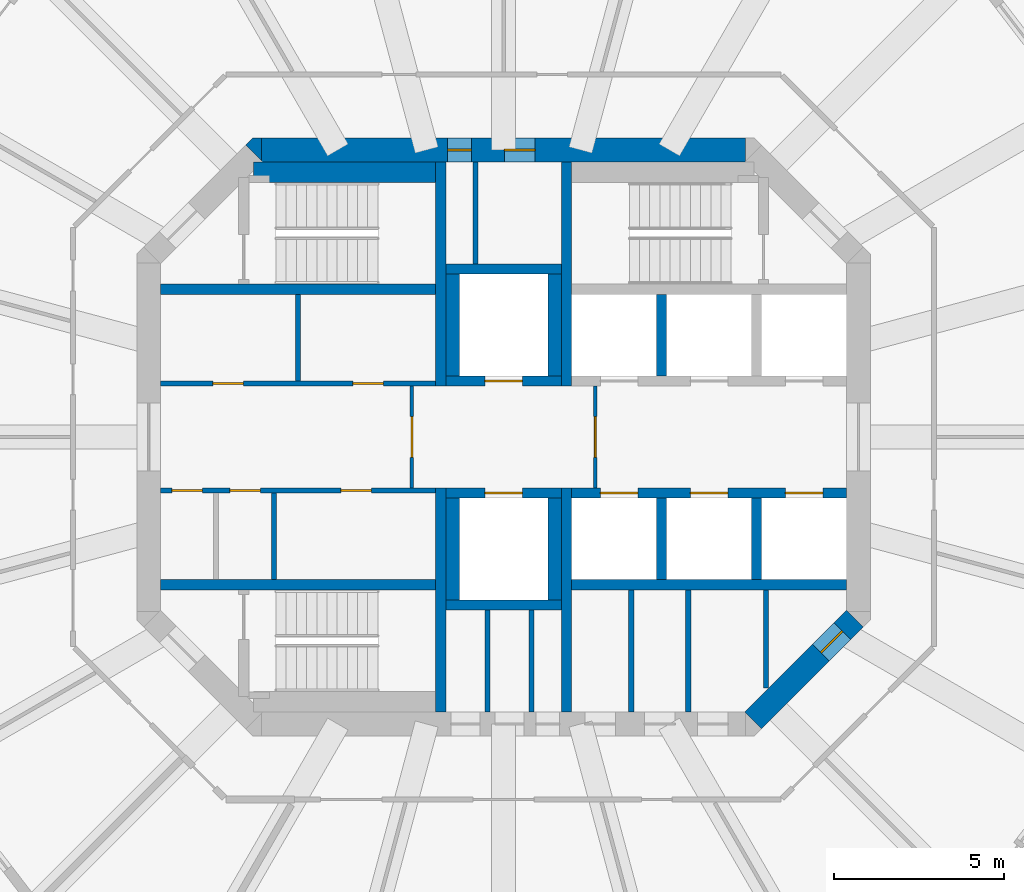
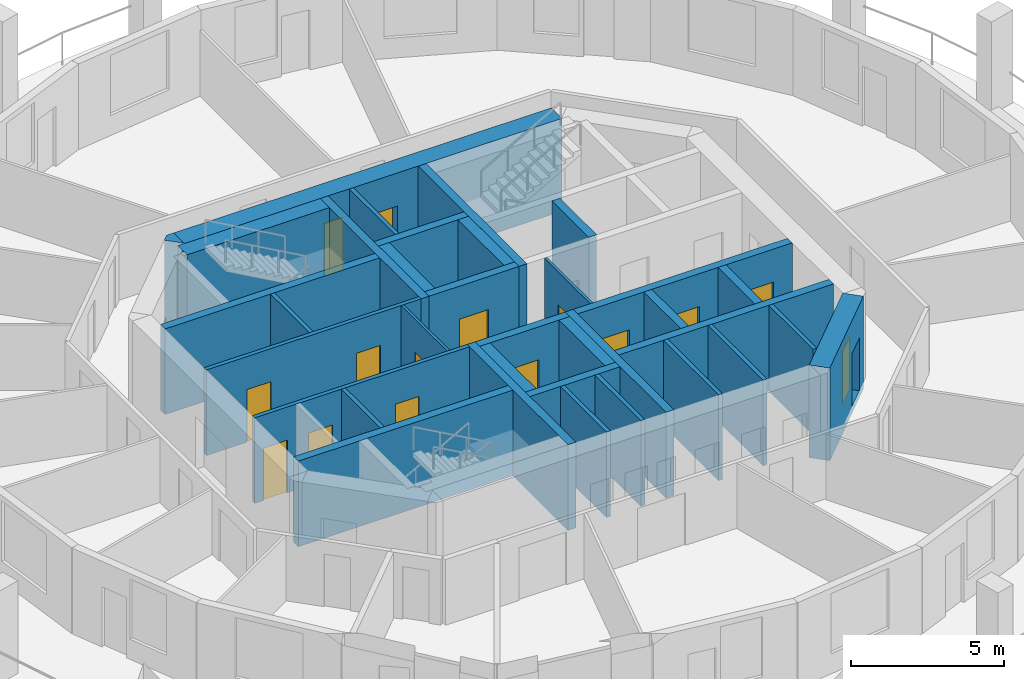
# One storey, part 4 of 9: 35 walls, 15 doors, 15 openings.
"""IFC4 building model written with IfcOpenShell, lengths in metres."""

from ifc_helpers import new_model, si_unit, direction, frame, frame_2d, origin, place, context, subcontext, project, spatial, polyline, rectangle, outline, extrude, material, layer, layer_set, type_object, element, fill, save


model = new_model("IFC4")

# Units and contexts
model_context = context("Model", 3, precision=1e-05, world=origin(), true_north=direction((0.0, 1.0)))
body_context = subcontext(model_context, "Body", "Model", "MODEL_VIEW")
ifc_project = project(units=[si_unit("LENGTHUNIT", "METRE"), si_unit("AREAUNIT", "SQUARE_METRE"), si_unit("VOLUMEUNIT", "CUBIC_METRE"), si_unit("PLANEANGLEUNIT", "RADIAN"), si_unit("MASSUNIT", "GRAM", prefix="KILO")], contexts=[model_context])

# Site, building, storey
site_placement = place(None, origin())
site = spatial("IfcSite", under=ifc_project, at=site_placement, CompositionType="ELEMENT")
building_placement = place(site_placement, origin())
building = spatial("IfcBuilding", under=site, at=building_placement, Name="Torre Triforio", CompositionType="ELEMENT")
storey_placement = place(building_placement, frame((0.0, 0.0, 211.300048828125)))
storey = spatial("IfcBuildingStorey", under=building, at=storey_placement, Name="L48", CompositionType="ELEMENT", Elevation=211.300048828125)

# Walls
ifc_material_1 = material(Name="Concrete C50", Category="concrete")
ifc_layer_1 = layer(ifc_material_1, 0.300048828125)
ifc_layer_set_1 = layer_set([ifc_layer_1], Name="Concrete C50")
wall_type_1 = type_object("IfcWallType", Name="Core wall 300 mm C50 EI 120", PredefinedType="SHEAR", material=ifc_layer_set_1)
for number, where, z_axis, x_axis, name in (
    (1, (-1.85009765625, 1.5, 0.0), (0.0, 0.0, 1.0), (0.0, 1.0, 0.0), "Core wall"),
    (2, (-1.85009765625, -8.10009765625, 0.0), (0.0, 0.0, 1.0), (0.0, 1.0, 0.0), "Core wall"),
    (3, (1.85009765625, 1.5, 0.0), (0.0, 0.0, 1.0), (0.0, 1.0, 0.0), "Core wall"),
    (4, (1.85009765625, -8.10009765625, 0.0), (0.0, 0.0, 1.0), (0.0, 1.0, 0.0), "Core wall"),
):
    element("IfcWall", number, at=place(storey_placement, frame(where, z_axis=z_axis, x_axis=x_axis)), inside=storey, type_object=wall_type_1, Name=name, PredefinedType="SHEAR", context=body_context, shape_type="SweptSolid", body=[
        extrude(rectangle(XDim=6.60009765625, YDim=0.300048828125, at=frame_2d((3.300048828125, 0.0))), origin(), (0.0, 0.0, 1.0), 3.419921875),
    ])

# Wall, openings, doors
ifc_layer_2 = layer(ifc_material_1, 0.699951171875)
ifc_layer_set_2 = layer_set([ifc_layer_2], Name="Concrete C50")
wall_type_2 = type_object("IfcWallType", Name="Core wall 700 mm C50 EI 120", PredefinedType="SHEAR", material=ifc_layer_set_2)
wall_1_placement = place(storey_placement, frame((-7.1298828125, 8.449951171875, -0.280029296875), z_axis=(0.0, 0.0, 1.0), x_axis=(1.0, 0.0, 0.0)))
wall_1 = element("IfcWall", 5, at=wall_1_placement, inside=storey, type_object=wall_type_2, Name="Core wall", PredefinedType="SHEAR", context=body_context, shape_type="SweptSolid", body=[
    extrude(rectangle(XDim=14.259765625, YDim=0.699951171875, at=frame_2d((7.1298828125, 0.0))), origin(), (0.0, 0.0, 1.0), 3.699951171875),
])
opening_1_placement = place(wall_1_placement, frame((5.47998046875, 0.0, 0.280029296875)))
opening_1 = element("IfcOpeningElement", 6, at=opening_1_placement, cuts=wall_1, Name="Opening RISER-N", PredefinedType="OPENING", context=body_context, shape_type="SweptSolid", body=[
    extrude(rectangle(XDim=0.699951171875, YDim=2.10009765625, at=frame_2d((0.35009765625, 1.050048828125))), frame((0.0, 0.35986328125, 0.0), z_axis=(0.0, -1.0, 0.0), x_axis=(1.0, 0.0, 0.0)), (0.0, 0.0, 1.0), 0.719970703125),
])
opening_2_placement = place(wall_1_placement, frame((7.155029296875, 0.0, 0.280029296875)))
opening_2 = element("IfcOpeningElement", 7, at=opening_2_placement, cuts=wall_1, Name="Opening NE-01", PredefinedType="OPENING", context=body_context, shape_type="SweptSolid", body=[
    extrude(rectangle(XDim=0.89990234375, YDim=2.10009765625, at=frame_2d((0.449951171875, 1.050048828125))), frame((0.0, 0.35986328125, 0.0), z_axis=(0.0, -1.0, 0.0), x_axis=(1.0, 0.0, 0.0)), (0.0, 0.0, 1.0), 0.719970703125),
])
ifc_material_2 = material(Name="Hollow metal fire door leaf")
door_type_1 = type_object("IfcDoorType", Name="Riser door 700 x 2100 EI 60", OperationType="NOTDEFINED", PredefinedType="DOOR", material=ifc_material_2)
door_1_placement = place(opening_1_placement, origin())
door_1 = element("IfcDoor", 8, at=door_1_placement, inside=storey, type_object=door_type_1, Name="Core door RISER-N", OperationType="SINGLE_SWING_LEFT", OverallHeight=2.10009765625, OverallWidth=0.699951171875, PredefinedType="DOOR", context=body_context, shape_type="SweptSolid", body=[
    extrude(rectangle(XDim=0.699951171875, YDim=2.10009765625, at=frame_2d((0.35009765625, 1.050048828125))), frame((0.0, 0.02490234375, 0.0), z_axis=(0.0, -1.0, 0.0), x_axis=(1.0, 0.0, 0.0)), (0.0, 0.0, 1.0), 0.050048828125),
])
fill(opening_1, door_1)
door_type_2 = type_object("IfcDoorType", Name="Room door 900 x 2100 EI 60", OperationType="NOTDEFINED", PredefinedType="DOOR", material=ifc_material_2)
door_2_placement = place(opening_2_placement, origin())
door_2 = element("IfcDoor", 9, at=door_2_placement, inside=storey, type_object=door_type_2, Name="Core door NE-01", OperationType="SINGLE_SWING_RIGHT", OverallHeight=2.10009765625, OverallWidth=0.89990234375, PredefinedType="DOOR", context=body_context, shape_type="SweptSolid", body=[
    extrude(rectangle(XDim=0.89990234375, YDim=2.10009765625, at=frame_2d((0.449951171875, 1.050048828125))), frame((0.0, 0.02490234375, 0.0), z_axis=(0.0, -1.0, 0.0), x_axis=(1.0, 0.0, 0.0)), (0.0, 0.0, 1.0), 0.050048828125),
])
fill(opening_2, door_2)

# Wall, opening, door
wall_2_placement = place(storey_placement, frame((10.347412109375, -5.347412109375, -0.280029296875), z_axis=(0.0, 0.0, 1.0), x_axis=(-0.707106781187, -0.707106781187, 0.0)))
wall_2 = element("IfcWall", 10, at=wall_2_placement, inside=storey, type_object=wall_type_2, Name="Core wall", PredefinedType="SHEAR", context=body_context, shape_type="SweptSolid", body=[
    extrude(rectangle(XDim=4.24267578125, YDim=0.699951171875, at=frame_2d((2.121337890625, 0.0))), origin(), (0.0, 0.0, 1.0), 3.699951171875),
])
opening_3_placement = place(wall_2_placement, frame((0.52001953125, 0.0, 0.280029296875)))
opening_3 = element("IfcOpeningElement", 11, at=opening_3_placement, cuts=wall_2, Name="Opening SE-04", PredefinedType="OPENING", context=body_context, shape_type="SweptSolid", body=[
    extrude(rectangle(XDim=0.89990234375, YDim=2.10009765625, at=frame_2d((0.449951171875, 1.050048828125))), frame((0.0, 0.35986328125, 0.0), z_axis=(0.0, -1.0, 0.0), x_axis=(1.0, 0.0, 0.0)), (0.0, 0.0, 1.0), 0.719970703125),
])
door_3_placement = place(opening_3_placement, origin())
door_3 = element("IfcDoor", 12, at=door_3_placement, inside=storey, type_object=door_type_2, Name="Core door SE-04", OperationType="SINGLE_SWING_RIGHT", OverallHeight=2.10009765625, OverallWidth=0.89990234375, PredefinedType="DOOR", context=body_context, shape_type="SweptSolid", body=[
    extrude(rectangle(XDim=0.89990234375, YDim=2.10009765625, at=frame_2d((0.449951171875, 1.050048828125))), frame((0.0, 0.02490234375, 0.0), z_axis=(0.0, -1.0, 0.0), x_axis=(1.0, 0.0, 0.0)), (0.0, 0.0, 1.0), 0.050048828125),
])
fill(opening_3, door_3)

# Wall
wall_3_placement = place(storey_placement, frame((0.0, 0.0, -0.280029296875)))
element("IfcWall", 13, at=wall_3_placement, inside=storey, type_object=wall_type_2, Name="Core wall", PredefinedType="SHEAR", context=body_context, shape_type="SweptSolid", body=[
    extrude(outline(polyline([(-7.389892578125, 8.800048828125), (-7.1298828125, 8.800048828125), (-7.1298828125, 8.800048828125), (-7.1298828125, 8.1298828125), (-7.594970703125, 8.594970703125), (-7.594970703125, 8.594970703125), (-7.594970703125, 8.594970703125), (-7.389892578125, 8.800048828125)])), origin(), (0.0, 0.0, 1.0), 3.699951171875),
])

# Wall, opening, door
ifc_material_3 = material(Name="Block and board partition")
ifc_layer_3 = layer(ifc_material_3, 0.10009765625)
ifc_layer_set_3 = layer_set([ifc_layer_3], Name="Block and board partition")
wall_type_3 = type_object("IfcWallType", Name="Partition 100 mm EI 120", PredefinedType="PARTITIONING", material=ifc_layer_set_3)
wall_4_placement = place(storey_placement, frame((-2.699951171875, -1.5, 0.0), z_axis=(0.0, 0.0, 1.0), x_axis=(0.0, 1.0, 0.0)))
wall_4 = element("IfcWall", 14, at=wall_4_placement, inside=storey, type_object=wall_type_3, Name="Partition", PredefinedType="PARTITIONING", context=body_context, shape_type="SweptSolid", body=[
    extrude(rectangle(XDim=3.0, YDim=0.10009765625, at=frame_2d((1.5, 0.0))), origin(), (0.0, 0.0, 1.0), 3.419921875),
])
opening_4_placement = place(wall_4_placement, frame((0.89990234375, 0.0, 0.0)))
opening_4 = element("IfcOpeningElement", 15, at=opening_4_placement, cuts=wall_4, Name="Opening FF-W", PredefinedType="OPENING", context=body_context, shape_type="SweptSolid", body=[
    extrude(rectangle(XDim=1.199951171875, YDim=2.10009765625, at=frame_2d((0.60009765625, 1.050048828125))), frame((0.0, 0.06005859375, 0.0), z_axis=(0.0, -1.0, 0.0), x_axis=(1.0, 0.0, 0.0)), (0.0, 0.0, 1.0), 0.1201171875),
])
door_type_3 = type_object("IfcDoorType", Name="Fire-fighting lobby door 1200 x 2100 EI 60", OperationType="NOTDEFINED", PredefinedType="DOOR", material=ifc_material_2)
door_4_placement = place(opening_4_placement, origin())
door_4 = element("IfcDoor", 16, at=door_4_placement, inside=storey, type_object=door_type_3, Name="Core door FF-W", OperationType="SINGLE_SWING_RIGHT", OverallHeight=2.10009765625, OverallWidth=1.199951171875, PredefinedType="DOOR", context=body_context, shape_type="SweptSolid", body=[
    extrude(rectangle(XDim=1.199951171875, YDim=2.10009765625, at=frame_2d((0.60009765625, 1.050048828125))), frame((0.0, 0.02490234375, 0.0), z_axis=(0.0, -1.0, 0.0), x_axis=(1.0, 0.0, 0.0)), (0.0, 0.0, 1.0), 0.050048828125),
])
fill(opening_4, door_4)

wall_5_placement = place(storey_placement, frame((2.699951171875, -1.5, 0.0), z_axis=(0.0, 0.0, 1.0), x_axis=(0.0, 1.0, 0.0)))
wall_5 = element("IfcWall", 17, at=wall_5_placement, inside=storey, type_object=wall_type_3, Name="Partition", PredefinedType="PARTITIONING", context=body_context, shape_type="SweptSolid", body=[
    extrude(rectangle(XDim=3.0, YDim=0.10009765625, at=frame_2d((1.5, 0.0))), origin(), (0.0, 0.0, 1.0), 3.419921875),
])
opening_5_placement = place(wall_5_placement, frame((0.89990234375, 0.0, 0.0)))
opening_5 = element("IfcOpeningElement", 18, at=opening_5_placement, cuts=wall_5, Name="Opening FF-E", PredefinedType="OPENING", context=body_context, shape_type="SweptSolid", body=[
    extrude(rectangle(XDim=1.199951171875, YDim=2.10009765625, at=frame_2d((0.60009765625, 1.050048828125))), frame((0.0, 0.06005859375, 0.0), z_axis=(0.0, -1.0, 0.0), x_axis=(1.0, 0.0, 0.0)), (0.0, 0.0, 1.0), 0.1201171875),
])
door_5_placement = place(opening_5_placement, origin())
door_5 = element("IfcDoor", 19, at=door_5_placement, inside=storey, type_object=door_type_3, Name="Core door FF-E", OperationType="SINGLE_SWING_RIGHT", OverallHeight=2.10009765625, OverallWidth=1.199951171875, PredefinedType="DOOR", context=body_context, shape_type="SweptSolid", body=[
    extrude(rectangle(XDim=1.199951171875, YDim=2.10009765625, at=frame_2d((0.60009765625, 1.050048828125))), frame((0.0, 0.02490234375, 0.0), z_axis=(0.0, -1.0, 0.0), x_axis=(1.0, 0.0, 0.0)), (0.0, 0.0, 1.0), 0.050048828125),
])
fill(opening_5, door_5)

# Walls
ifc_layer_4 = layer(ifc_material_3, 0.14990234375)
ifc_layer_set_4 = layer_set([ifc_layer_4], Name="Block and board partition")
wall_type_4 = type_object("IfcWallType", Name="Partition 150 mm", PredefinedType="PARTITIONING", material=ifc_layer_set_4)
wall_6_placement = place(storey_placement, frame((-0.47509765625, -8.10009765625, 0.0), z_axis=(0.0, 0.0, 1.0), x_axis=(0.0, 1.0, 0.0)))
element("IfcWall", 20, at=wall_6_placement, inside=storey, type_object=wall_type_4, Name="Partition", PredefinedType="PARTITIONING", context=body_context, shape_type="SweptSolid", body=[
    extrude(rectangle(XDim=3.0, YDim=0.14990234375, at=frame_2d((1.5, 0.0))), origin(), (0.0, 0.0, 1.0), 3.419921875),
])
for number, where, z_axis, x_axis, name in (
    (21, (3.758056640625, -8.10009765625, 0.0), (0.0, 0.0, 1.0), (0.0, 1.0, 0.0), "Partition"),
    (22, (5.43798828125, -8.10009765625, 0.0), (0.0, 0.0, 1.0), (0.0, 1.0, 0.0), "Partition"),
):
    element("IfcWall", number, at=place(storey_placement, frame(where, z_axis=z_axis, x_axis=x_axis)), inside=storey, type_object=wall_type_4, Name=name, PredefinedType="PARTITIONING", context=body_context, shape_type="SweptSolid", body=[
        extrude(rectangle(XDim=3.60009765625, YDim=0.14990234375, at=frame_2d((1.800048828125, 0.0))), origin(), (0.0, 0.0, 1.0), 3.419921875),
    ])
wall_7_placement = place(storey_placement, frame((7.72998046875, -7.39501953125, 0.0), z_axis=(0.0, 0.0, 1.0), x_axis=(0.0, 1.0, 0.0)))
element("IfcWall", 23, at=wall_7_placement, inside=storey, type_object=wall_type_4, Name="Partition", PredefinedType="PARTITIONING", context=body_context, shape_type="SweptSolid", body=[
    extrude(rectangle(XDim=2.89501953125, YDim=0.14990234375, at=frame_2d((1.447509765625, 0.0))), origin(), (0.0, 0.0, 1.0), 3.419921875),
])
for number, where, z_axis, x_axis, name in (
    (24, (-6.050048828125, 1.64990234375, 0.0), (0.0, 0.0, 1.0), (0.0, 1.0, 0.0), "Partition"),
    (25, (-6.7548828125, -4.199951171875, 0.0), (0.0, 0.0, 1.0), (0.0, 1.0, 0.0), "Partition"),
):
    element("IfcWall", number, at=place(storey_placement, frame(where, z_axis=z_axis, x_axis=x_axis)), inside=storey, type_object=wall_type_4, Name=name, PredefinedType="PARTITIONING", context=body_context, shape_type="SweptSolid", body=[
        extrude(rectangle(XDim=2.550048828125, YDim=0.14990234375, at=frame_2d((1.27490234375, 0.0))), origin(), (0.0, 0.0, 1.0), 3.419921875),
    ])
ifc_layer_5 = layer(ifc_material_3, 0.14990234375)
ifc_layer_set_5 = layer_set([ifc_layer_5], Name="Block and board partition")
wall_type_5 = type_object("IfcWallType", Name="Partition 150 mm EI 120", PredefinedType="PARTITIONING", material=ifc_layer_set_5)
for number, where, z_axis, x_axis, name in (
    (26, (-0.824951171875, 5.10009765625, 0.0), (0.0, 0.0, 1.0), (0.0, 1.0, 0.0), "Partition"),
    (27, (0.824951171875, -8.10009765625, 0.0), (0.0, 0.0, 1.0), (0.0, 1.0, 0.0), "Partition"),
):
    element("IfcWall", number, at=place(storey_placement, frame(where, z_axis=z_axis, x_axis=x_axis)), inside=storey, type_object=wall_type_5, Name=name, PredefinedType="PARTITIONING", context=body_context, shape_type="SweptSolid", body=[
        extrude(rectangle(XDim=3.0, YDim=0.14990234375, at=frame_2d((1.5, 0.0))), origin(), (0.0, 0.0, 1.0), 3.419921875),
    ])

# Wall, openings, doors
wall_8_placement = place(storey_placement, frame((-10.10009765625, 1.574951171875, 0.0), z_axis=(0.0, 0.0, 1.0), x_axis=(1.0, 0.0, 0.0)))
wall_8 = element("IfcWall", 28, at=wall_8_placement, inside=storey, type_object=wall_type_5, Name="Partition", PredefinedType="PARTITIONING", context=body_context, shape_type="SweptSolid", body=[
    extrude(rectangle(XDim=8.10009765625, YDim=0.14990234375, at=frame_2d((4.050048828125, 0.0))), origin(), (0.0, 0.0, 1.0), 3.419921875),
])
opening_6_placement = place(wall_8_placement, frame((1.53759765625, 0.0, 0.0)))
opening_6 = element("IfcOpeningElement", 29, at=opening_6_placement, cuts=wall_8, Name="Opening FN-01", PredefinedType="OPENING", context=body_context, shape_type="SweptSolid", body=[
    extrude(rectangle(XDim=0.89990234375, YDim=2.10009765625, at=frame_2d((0.449951171875, 1.050048828125))), frame((0.0, 0.0849609375, 0.0), z_axis=(0.0, -1.0, 0.0), x_axis=(1.0, 0.0, 0.0)), (0.0, 0.0, 1.0), 0.169921875),
])
opening_7_placement = place(wall_8_placement, frame((5.66259765625, 0.0, 0.0)))
opening_7 = element("IfcOpeningElement", 30, at=opening_7_placement, cuts=wall_8, Name="Opening FN-02", PredefinedType="OPENING", context=body_context, shape_type="SweptSolid", body=[
    extrude(rectangle(XDim=0.89990234375, YDim=2.10009765625, at=frame_2d((0.449951171875, 1.050048828125))), frame((0.0, 0.0849609375, 0.0), z_axis=(0.0, -1.0, 0.0), x_axis=(1.0, 0.0, 0.0)), (0.0, 0.0, 1.0), 0.169921875),
])
door_6_placement = place(opening_6_placement, origin())
door_6 = element("IfcDoor", 31, at=door_6_placement, inside=storey, type_object=door_type_2, Name="Core door FN-01", OperationType="SINGLE_SWING_RIGHT", OverallHeight=2.10009765625, OverallWidth=0.89990234375, PredefinedType="DOOR", context=body_context, shape_type="SweptSolid", body=[
    extrude(rectangle(XDim=0.89990234375, YDim=2.10009765625, at=frame_2d((0.449951171875, 1.050048828125))), frame((0.0, 0.02490234375, 0.0), z_axis=(0.0, -1.0, 0.0), x_axis=(1.0, 0.0, 0.0)), (0.0, 0.0, 1.0), 0.050048828125),
])
fill(opening_6, door_6)
door_7_placement = place(opening_7_placement, origin())
door_7 = element("IfcDoor", 32, at=door_7_placement, inside=storey, type_object=door_type_2, Name="Core door FN-02", OperationType="SINGLE_SWING_RIGHT", OverallHeight=2.10009765625, OverallWidth=0.89990234375, PredefinedType="DOOR", context=body_context, shape_type="SweptSolid", body=[
    extrude(rectangle(XDim=0.89990234375, YDim=2.10009765625, at=frame_2d((0.449951171875, 1.050048828125))), frame((0.0, 0.02490234375, 0.0), z_axis=(0.0, -1.0, 0.0), x_axis=(1.0, 0.0, 0.0)), (0.0, 0.0, 1.0), 0.050048828125),
])
fill(opening_7, door_7)

wall_9_placement = place(storey_placement, frame((-10.10009765625, -1.574951171875, 0.0), z_axis=(0.0, 0.0, 1.0), x_axis=(1.0, 0.0, 0.0)))
wall_9 = element("IfcWall", 33, at=wall_9_placement, inside=storey, type_object=wall_type_5, Name="Partition", PredefinedType="PARTITIONING", context=body_context, shape_type="SweptSolid", body=[
    extrude(rectangle(XDim=8.10009765625, YDim=0.14990234375, at=frame_2d((4.050048828125, 0.0))), origin(), (0.0, 0.0, 1.0), 3.419921875),
])
opening_8_placement = place(wall_9_placement, frame((0.330078125, 0.0, 0.0)))
opening_8 = element("IfcOpeningElement", 34, at=opening_8_placement, cuts=wall_9, Name="Opening FS-01", PredefinedType="OPENING", context=body_context, shape_type="SweptSolid", body=[
    extrude(rectangle(XDim=0.89990234375, YDim=2.10009765625, at=frame_2d((0.449951171875, 1.050048828125))), frame((0.0, 0.0849609375, 0.0), z_axis=(0.0, -1.0, 0.0), x_axis=(1.0, 0.0, 0.0)), (0.0, 0.0, 1.0), 0.169921875),
])
opening_9_placement = place(wall_9_placement, frame((2.0400390625, 0.0, 0.0)))
opening_9 = element("IfcOpeningElement", 35, at=opening_9_placement, cuts=wall_9, Name="Opening FS-02", PredefinedType="OPENING", context=body_context, shape_type="SweptSolid", body=[
    extrude(rectangle(XDim=0.89990234375, YDim=2.10009765625, at=frame_2d((0.449951171875, 1.050048828125))), frame((0.0, 0.0849609375, 0.0), z_axis=(0.0, -1.0, 0.0), x_axis=(1.0, 0.0, 0.0)), (0.0, 0.0, 1.0), 0.169921875),
])
opening_10_placement = place(wall_9_placement, frame((5.31005859375, 0.0, 0.0)))
opening_10 = element("IfcOpeningElement", 36, at=opening_10_placement, cuts=wall_9, Name="Opening FS-03", PredefinedType="OPENING", context=body_context, shape_type="SweptSolid", body=[
    extrude(rectangle(XDim=0.89990234375, YDim=2.10009765625, at=frame_2d((0.449951171875, 1.050048828125))), frame((0.0, 0.0849609375, 0.0), z_axis=(0.0, -1.0, 0.0), x_axis=(1.0, 0.0, 0.0)), (0.0, 0.0, 1.0), 0.169921875),
])
door_8_placement = place(opening_8_placement, origin())
door_8 = element("IfcDoor", 37, at=door_8_placement, inside=storey, type_object=door_type_2, Name="Core door FS-01", OperationType="SINGLE_SWING_LEFT", OverallHeight=2.10009765625, OverallWidth=0.89990234375, PredefinedType="DOOR", context=body_context, shape_type="SweptSolid", body=[
    extrude(rectangle(XDim=0.89990234375, YDim=2.10009765625, at=frame_2d((0.449951171875, 1.050048828125))), frame((0.0, 0.02490234375, 0.0), z_axis=(0.0, -1.0, 0.0), x_axis=(1.0, 0.0, 0.0)), (0.0, 0.0, 1.0), 0.050048828125),
])
fill(opening_8, door_8)
door_9_placement = place(opening_9_placement, origin())
door_9 = element("IfcDoor", 38, at=door_9_placement, inside=storey, type_object=door_type_2, Name="Core door FS-02", OperationType="SINGLE_SWING_LEFT", OverallHeight=2.10009765625, OverallWidth=0.89990234375, PredefinedType="DOOR", context=body_context, shape_type="SweptSolid", body=[
    extrude(rectangle(XDim=0.89990234375, YDim=2.10009765625, at=frame_2d((0.449951171875, 1.050048828125))), frame((0.0, 0.02490234375, 0.0), z_axis=(0.0, -1.0, 0.0), x_axis=(1.0, 0.0, 0.0)), (0.0, 0.0, 1.0), 0.050048828125),
])
fill(opening_9, door_9)
door_10_placement = place(opening_10_placement, origin())
door_10 = element("IfcDoor", 39, at=door_10_placement, inside=storey, type_object=door_type_2, Name="Core door FS-03", OperationType="SINGLE_SWING_LEFT", OverallHeight=2.10009765625, OverallWidth=0.89990234375, PredefinedType="DOOR", context=body_context, shape_type="SweptSolid", body=[
    extrude(rectangle(XDim=0.89990234375, YDim=2.10009765625, at=frame_2d((0.449951171875, 1.050048828125))), frame((0.0, 0.02490234375, 0.0), z_axis=(0.0, -1.0, 0.0), x_axis=(1.0, 0.0, 0.0)), (0.0, 0.0, 1.0), 0.050048828125),
])
fill(opening_10, door_10)

# Walls
ifc_layer_6 = layer(ifc_material_1, 0.300048828125)
ifc_layer_set_6 = layer_set([ifc_layer_6], Name="Concrete C50")
wall_type_6 = type_object("IfcWallType", Name="Shaft wall 300 mm C50 EI 120", PredefinedType="SOLIDWALL", material=ifc_layer_set_6)
for number, where, z_axis, x_axis, name in (
    (40, (-10.10009765625, 4.35009765625, 0.0), (0.0, 0.0, 1.0), (1.0, 0.0, 0.0), "Shaft wall"),
    (41, (-10.10009765625, -4.35009765625, 0.0), (0.0, 0.0, 1.0), (1.0, 0.0, 0.0), "Shaft wall"),
    (42, (2.0, -4.35009765625, 0.0), (0.0, 0.0, 1.0), (1.0, 0.0, 0.0), "Shaft wall"),
):
    element("IfcWall", number, at=place(storey_placement, frame(where, z_axis=z_axis, x_axis=x_axis)), inside=storey, type_object=wall_type_6, Name=name, PredefinedType="SOLIDWALL", context=body_context, shape_type="SweptSolid", body=[
        extrude(rectangle(XDim=8.10009765625, YDim=0.300048828125, at=frame_2d((4.050048828125, 0.0))), origin(), (0.0, 0.0, 1.0), 3.419921875),
    ])

# Wall, openings, doors
wall_10_placement = place(storey_placement, frame((2.0, -1.64990234375, 0.0), z_axis=(0.0, 0.0, 1.0), x_axis=(1.0, 0.0, 0.0)))
wall_10 = element("IfcWall", 43, at=wall_10_placement, inside=storey, type_object=wall_type_6, Name="Shaft wall", PredefinedType="SOLIDWALL", context=body_context, shape_type="SweptSolid", body=[
    extrude(rectangle(XDim=8.10009765625, YDim=0.300048828125, at=frame_2d((4.050048828125, 0.0))), origin(), (0.0, 0.0, 1.0), 3.419921875),
])
opening_11_placement = place(wall_10_placement, frame((0.85009765625, 0.0, 0.0)))
opening_11 = element("IfcOpeningElement", 44, at=opening_11_placement, cuts=wall_10, Name="Opening LD", PredefinedType="OPENING", context=body_context, shape_type="SweptSolid", body=[
    extrude(rectangle(XDim=1.10009765625, YDim=2.10009765625, at=frame_2d((0.550048828125, 1.050048828125))), frame((0.0, 0.159912109375, 0.0), z_axis=(0.0, -1.0, 0.0), x_axis=(1.0, 0.0, 0.0)), (0.0, 0.0, 1.0), 0.320068359375),
])
opening_12_placement = place(wall_10_placement, frame((3.5, 0.0, 0.0)))
opening_12 = element("IfcOpeningElement", 45, at=opening_12_placement, cuts=wall_10, Name="Opening LD", PredefinedType="OPENING", context=body_context, shape_type="SweptSolid", body=[
    extrude(rectangle(XDim=1.10009765625, YDim=2.10009765625, at=frame_2d((0.550048828125, 1.050048828125))), frame((0.0, 0.159912109375, 0.0), z_axis=(0.0, -1.0, 0.0), x_axis=(1.0, 0.0, 0.0)), (0.0, 0.0, 1.0), 0.320068359375),
])
opening_13_placement = place(wall_10_placement, frame((6.300048828125, 0.0, 0.0)))
opening_13 = element("IfcOpeningElement", 46, at=opening_13_placement, cuts=wall_10, Name="Opening LD", PredefinedType="OPENING", context=body_context, shape_type="SweptSolid", body=[
    extrude(rectangle(XDim=1.10009765625, YDim=2.10009765625, at=frame_2d((0.550048828125, 1.050048828125))), frame((0.0, 0.159912109375, 0.0), z_axis=(0.0, -1.0, 0.0), x_axis=(1.0, 0.0, 0.0)), (0.0, 0.0, 1.0), 0.320068359375),
])
door_type_4 = type_object("IfcDoorType", Name="Landing door 1100 x 2100 EI 60", OperationType="DOUBLE_DOOR_SLIDING", PredefinedType="DOOR", material=ifc_material_2)
door_11_placement = place(opening_11_placement, origin())
door_11 = element("IfcDoor", 47, at=door_11_placement, inside=storey, type_object=door_type_4, Name="Landing door HR4", OperationType="DOUBLE_DOOR_SLIDING", OverallHeight=2.10009765625, OverallWidth=1.10009765625, PredefinedType="DOOR", context=body_context, shape_type="SweptSolid", body=[
    extrude(rectangle(XDim=1.10009765625, YDim=2.10009765625, at=frame_2d((0.550048828125, 1.050048828125))), frame((0.0, 0.02490234375, 0.0), z_axis=(0.0, -1.0, 0.0), x_axis=(1.0, 0.0, 0.0)), (0.0, 0.0, 1.0), 0.050048828125),
])
fill(opening_11, door_11)
door_12_placement = place(opening_12_placement, origin())
door_12 = element("IfcDoor", 48, at=door_12_placement, inside=storey, type_object=door_type_4, Name="Landing door HR5", OperationType="DOUBLE_DOOR_SLIDING", OverallHeight=2.10009765625, OverallWidth=1.10009765625, PredefinedType="DOOR", context=body_context, shape_type="SweptSolid", body=[
    extrude(rectangle(XDim=1.10009765625, YDim=2.10009765625, at=frame_2d((0.550048828125, 1.050048828125))), frame((0.0, 0.02490234375, 0.0), z_axis=(0.0, -1.0, 0.0), x_axis=(1.0, 0.0, 0.0)), (0.0, 0.0, 1.0), 0.050048828125),
])
fill(opening_12, door_12)
door_13_placement = place(opening_13_placement, origin())
door_13 = element("IfcDoor", 49, at=door_13_placement, inside=storey, type_object=door_type_4, Name="Landing door HR6", OperationType="DOUBLE_DOOR_SLIDING", OverallHeight=2.10009765625, OverallWidth=1.10009765625, PredefinedType="DOOR", context=body_context, shape_type="SweptSolid", body=[
    extrude(rectangle(XDim=1.10009765625, YDim=2.10009765625, at=frame_2d((0.550048828125, 1.050048828125))), frame((0.0, 0.02490234375, 0.0), z_axis=(0.0, -1.0, 0.0), x_axis=(1.0, 0.0, 0.0)), (0.0, 0.0, 1.0), 0.050048828125),
])
fill(opening_13, door_13)

# Walls
for number, where, z_axis, x_axis, name in (
    (50, (4.64990234375, 1.800048828125, 0.0), (0.0, 0.0, 1.0), (0.0, 1.0, 0.0), "Shaft wall"),
    (51, (4.64990234375, -4.199951171875, 0.0), (0.0, 0.0, 1.0), (0.0, 1.0, 0.0), "Shaft wall"),
    (52, (7.449951171875, -4.199951171875, 0.0), (0.0, 0.0, 1.0), (0.0, 1.0, 0.0), "Shaft wall"),
):
    element("IfcWall", number, at=place(storey_placement, frame(where, z_axis=z_axis, x_axis=x_axis)), inside=storey, type_object=wall_type_6, Name=name, PredefinedType="SOLIDWALL", context=body_context, shape_type="SweptSolid", body=[
        extrude(rectangle(XDim=2.39990234375, YDim=0.300048828125, at=frame_2d((1.199951171875, 0.0))), origin(), (0.0, 0.0, 1.0), 3.419921875),
    ])

# Wall, opening, door
wall_11_placement = place(storey_placement, frame((-1.699951171875, 1.64990234375, 0.0), z_axis=(0.0, 0.0, 1.0), x_axis=(1.0, 0.0, 0.0)))
wall_11 = element("IfcWall", 53, at=wall_11_placement, inside=storey, type_object=wall_type_6, Name="Shaft wall", PredefinedType="SOLIDWALL", context=body_context, shape_type="SweptSolid", body=[
    extrude(rectangle(XDim=3.39990234375, YDim=0.300048828125, at=frame_2d((1.699951171875, 0.0))), origin(), (0.0, 0.0, 1.0), 3.419921875),
])
opening_14_placement = place(wall_11_placement, frame((1.14990234375, 0.0, 0.0)))
opening_14 = element("IfcOpeningElement", 54, at=opening_14_placement, cuts=wall_11, Name="Opening LD", PredefinedType="OPENING", context=body_context, shape_type="SweptSolid", body=[
    extrude(rectangle(XDim=1.10009765625, YDim=2.10009765625, at=frame_2d((0.550048828125, 1.050048828125))), frame((0.0, 0.159912109375, 0.0), z_axis=(0.0, -1.0, 0.0), x_axis=(1.0, 0.0, 0.0)), (0.0, 0.0, 1.0), 0.320068359375),
])
door_14_placement = place(opening_14_placement, origin())
door_14 = element("IfcDoor", 55, at=door_14_placement, inside=storey, type_object=door_type_4, Name="Landing door FFL1", OperationType="DOUBLE_DOOR_SLIDING", OverallHeight=2.10009765625, OverallWidth=1.10009765625, PredefinedType="DOOR", context=body_context, shape_type="SweptSolid", body=[
    extrude(rectangle(XDim=1.10009765625, YDim=2.10009765625, at=frame_2d((0.550048828125, 1.050048828125))), frame((0.0, 0.02490234375, 0.0), z_axis=(0.0, -1.0, 0.0), x_axis=(1.0, 0.0, 0.0)), (0.0, 0.0, 1.0), 0.050048828125),
])
fill(opening_14, door_14)

wall_12_placement = place(storey_placement, frame((-1.699951171875, -1.64990234375, 0.0), z_axis=(0.0, 0.0, 1.0), x_axis=(1.0, 0.0, 0.0)))
wall_12 = element("IfcWall", 56, at=wall_12_placement, inside=storey, type_object=wall_type_6, Name="Shaft wall", PredefinedType="SOLIDWALL", context=body_context, shape_type="SweptSolid", body=[
    extrude(rectangle(XDim=3.39990234375, YDim=0.300048828125, at=frame_2d((1.699951171875, 0.0))), origin(), (0.0, 0.0, 1.0), 3.419921875),
])
opening_15_placement = place(wall_12_placement, frame((1.14990234375, 0.0, 0.0)))
opening_15 = element("IfcOpeningElement", 57, at=opening_15_placement, cuts=wall_12, Name="Opening LD", PredefinedType="OPENING", context=body_context, shape_type="SweptSolid", body=[
    extrude(rectangle(XDim=1.10009765625, YDim=2.10009765625, at=frame_2d((0.550048828125, 1.050048828125))), frame((0.0, 0.159912109375, 0.0), z_axis=(0.0, -1.0, 0.0), x_axis=(1.0, 0.0, 0.0)), (0.0, 0.0, 1.0), 0.320068359375),
])
door_15_placement = place(opening_15_placement, origin())
door_15 = element("IfcDoor", 58, at=door_15_placement, inside=storey, type_object=door_type_4, Name="Landing door FFL2", OperationType="DOUBLE_DOOR_SLIDING", OverallHeight=2.10009765625, OverallWidth=1.10009765625, PredefinedType="DOOR", context=body_context, shape_type="SweptSolid", body=[
    extrude(rectangle(XDim=1.10009765625, YDim=2.10009765625, at=frame_2d((0.550048828125, 1.050048828125))), frame((0.0, 0.02490234375, 0.0), z_axis=(0.0, -1.0, 0.0), x_axis=(1.0, 0.0, 0.0)), (0.0, 0.0, 1.0), 0.050048828125),
])
fill(opening_15, door_15)

# Walls
for number, where, z_axis, x_axis, name in (
    (59, (-1.699951171875, 4.949951171875, 0.0), (0.0, 0.0, 1.0), (1.0, 0.0, 0.0), "Shaft wall"),
    (60, (-1.699951171875, -4.949951171875, 0.0), (0.0, 0.0, 1.0), (1.0, 0.0, 0.0), "Shaft wall"),
):
    element("IfcWall", number, at=place(storey_placement, frame(where, z_axis=z_axis, x_axis=x_axis)), inside=storey, type_object=wall_type_6, Name=name, PredefinedType="SOLIDWALL", context=body_context, shape_type="SweptSolid", body=[
        extrude(rectangle(XDim=3.39990234375, YDim=0.300048828125, at=frame_2d((1.699951171875, 0.0))), origin(), (0.0, 0.0, 1.0), 3.419921875),
    ])
ifc_layer_7 = layer(ifc_material_1, 0.39990234375)
ifc_layer_set_7 = layer_set([ifc_layer_7], Name="Concrete C50")
wall_type_7 = type_object("IfcWallType", Name="Shaft wall 400 mm C50 EI 120", PredefinedType="SOLIDWALL", material=ifc_layer_set_7)
for number, where, z_axis, x_axis, name in (
    (61, (-1.5, 1.800048828125, 0.0), (0.0, 0.0, 1.0), (0.0, 1.0, 0.0), "Shaft wall"),
    (62, (-1.5, -4.800048828125, 0.0), (0.0, 0.0, 1.0), (0.0, 1.0, 0.0), "Shaft wall"),
    (63, (1.5, 1.800048828125, 0.0), (0.0, 0.0, 1.0), (0.0, 1.0, 0.0), "Shaft wall"),
    (64, (1.5, -4.800048828125, 0.0), (0.0, 0.0, 1.0), (0.0, 1.0, 0.0), "Shaft wall"),
):
    element("IfcWall", number, at=place(storey_placement, frame(where, z_axis=z_axis, x_axis=x_axis)), inside=storey, type_object=wall_type_7, Name=name, PredefinedType="SOLIDWALL", context=body_context, shape_type="SweptSolid", body=[
        extrude(rectangle(XDim=3.0, YDim=0.39990234375, at=frame_2d((1.5, 0.0))), origin(), (0.0, 0.0, 1.0), 3.419921875),
    ])
ifc_layer_8 = layer(ifc_material_1, 0.60009765625)
ifc_layer_set_8 = layer_set([ifc_layer_8], Name="Concrete C50")
wall_type_8 = type_object("IfcWallType", Name="Stair wall 600 mm C50 EI 120", PredefinedType="SHEAR", material=ifc_layer_set_8)
wall_13_placement = place(storey_placement, frame((-7.3701171875, 7.800048828125, 0.0), z_axis=(0.0, 0.0, 1.0), x_axis=(1.0, 0.0, 0.0)))
element("IfcWall", 65, at=wall_13_placement, inside=storey, type_object=wall_type_8, Name="Stair wall", PredefinedType="SHEAR", context=body_context, shape_type="SweptSolid", body=[
    extrude(rectangle(XDim=5.3701171875, YDim=0.60009765625, at=frame_2d((2.68505859375, 0.0))), origin(), (0.0, 0.0, 1.0), 3.419921875),
])

save(model, "model.ifc")
